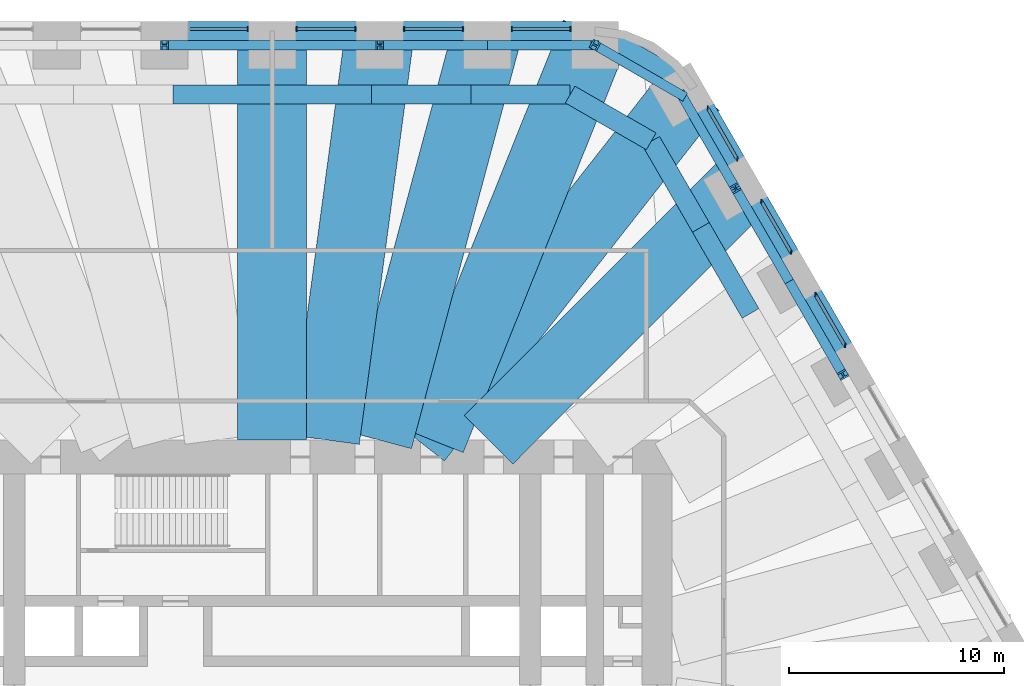
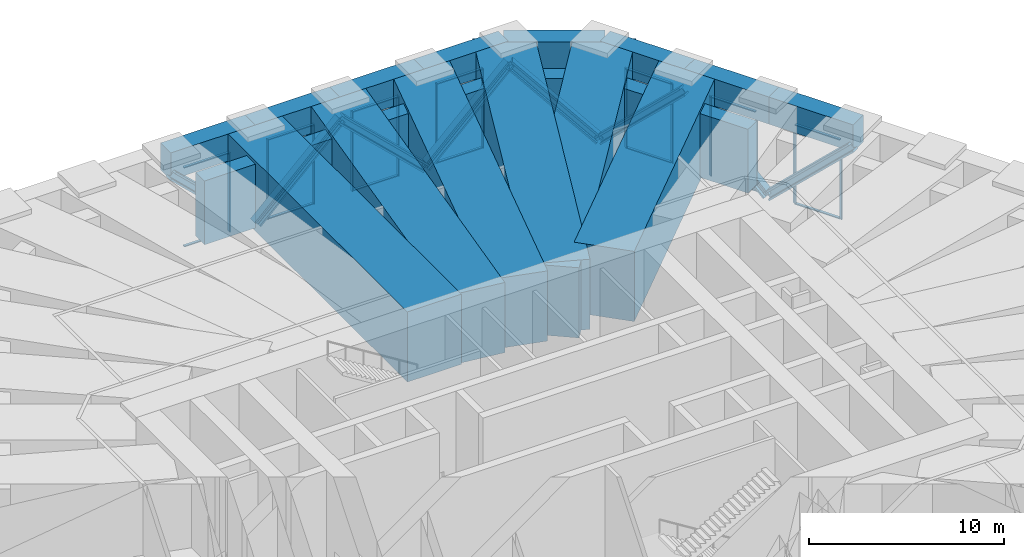
# One storey, part 9 of 16: 35 members, 21 beams, 7 elements without a shape of their own.
"""IFC4 building model written with IfcOpenShell, lengths in metres."""

from ifc_helpers import new_model, si_unit, direction, frame, origin, origin_2d, place, context, subcontext, project, spatial, rectangle, i_section, extrude, material, material_profile, profile_set, type_object, element, aggregate, save


model = new_model("IFC4")

# Units and contexts
model_context = context("Model", 3, precision=1e-05, world=origin(), true_north=direction((0.0, 1.0)))
body_context = subcontext(model_context, "Body", "Model", "MODEL_VIEW")
ifc_project = project(units=[si_unit("LENGTHUNIT", "METRE"), si_unit("AREAUNIT", "SQUARE_METRE"), si_unit("VOLUMEUNIT", "CUBIC_METRE"), si_unit("PLANEANGLEUNIT", "RADIAN"), si_unit("MASSUNIT", "GRAM", prefix="KILO")], contexts=[model_context])

# Site, building, storey
site_placement = place(None, origin())
site = spatial("IfcSite", under=ifc_project, at=site_placement, CompositionType="ELEMENT")
building_placement = place(site_placement, origin())
building = spatial("IfcBuilding", under=site, at=building_placement, Name="Tarfa Lantern Tower", CompositionType="ELEMENT")
storey_placement = place(building_placement, frame((0.0, 0.0, 203.5)))
storey = spatial("IfcBuildingStorey", under=building, at=storey_placement, Name="L46", CompositionType="ELEMENT", Elevation=203.5)

# Members
ifc_material_1 = material(Name="Steel S460M", Category="steel")
ifc_material_profile_1 = material_profile(ifc_material_1, i_section(OverallWidth=0.44189453125, OverallDepth=0.531005859375, WebThickness=0.06591796875, FlangeThickness=0.10595703125, FilletRadius=0.02001953125, at=origin_2d()), Name="HD400x900")
ifc_profile_set_1 = profile_set([ifc_material_profile_1], Name="Steel S460M")
member_type_1 = type_object("IfcMemberType", Name="BT2 HD400x900", PredefinedType="BRACE", material=ifc_profile_set_1)
member_1_placement = place(storey_placement, frame((24.041748046875, 19.658447265625, 0.60009765625), z_axis=(0.360836211576, -0.624984656077, 0.692236526112), x_axis=(0.866024712477, 0.500001197378, 0.0)))
element("IfcMember", 1, at=member_1_placement, inside=storey, type_object=member_type_1, Name="Belt truss diagonal 4", PredefinedType="BRACE", context=body_context, shape_type="SweptSolid", body=[
    extrude(i_section(OverallWidth=0.44189453125, OverallDepth=0.531005859375, WebThickness=0.06591796875, FlangeThickness=0.10595703125, FilletRadius=0.02001953125, at=origin_2d()), origin(), (0.0, 0.0, 1.0), 6.933837890625),
])
for number, where, z_axis, x_axis, name in (
    (2, (24.041748046875, 19.658447265625, 0.60009765625), (-0.360813525196, 0.624971138743, 0.69226055483), (-0.866033642122, -0.49998573051, 0.0), "Belt truss diagonal 5"),
    (3, (19.0380859375, 28.324951171875, 0.60009765625), (0.360844152163, -0.624963198354, 0.692251759516), (0.866012514114, 0.500022324899, 0.0), "Belt truss diagonal 6"),
):
    element("IfcMember", number, at=place(storey_placement, frame(where, z_axis=z_axis, x_axis=x_axis)), inside=storey, type_object=member_type_1, Name=name, PredefinedType="BRACE", context=body_context, shape_type="SweptSolid", body=[
        extrude(i_section(OverallWidth=0.44189453125, OverallDepth=0.531005859375, WebThickness=0.06591796875, FlangeThickness=0.10595703125, FilletRadius=0.02001953125, at=origin_2d()), origin(), (0.0, 0.0, 1.0), 6.93359375),
    ])
member_2_placement = place(storey_placement, frame((19.0380859375, 28.324951171875, 0.60009765625), z_axis=(-0.602598278407, 0.34789593242, 0.718222622218), x_axis=(-0.499984536904, -0.866034331223, 0.0)))
element("IfcMember", 4, at=member_2_placement, inside=storey, type_object=member_type_1, Name="Belt truss diagonal 7", PredefinedType="BRACE", context=body_context, shape_type="SweptSolid", body=[
    extrude(i_section(OverallWidth=0.44189453125, OverallDepth=0.531005859375, WebThickness=0.06591796875, FlangeThickness=0.10595703125, FilletRadius=0.02001953125, at=origin_2d()), origin(), (0.0, 0.0, 1.0), 6.682861328125),
])
for number, where, z_axis, x_axis, name in (
    (5, (10.00732421875, 30.64990234375, 0.60009765625), (0.721654649974, 0.0, 0.692253252915), (0.0, 1.0, 0.0), "Belt truss diagonal 8"),
    (6, (10.00732421875, 30.64990234375, 0.60009765625), (-0.721654649974, 0.0, 0.692253252915), (0.0, -1.0, 0.0), "Belt truss diagonal 9"),
    (7, (0.0, 30.64990234375, 0.60009765625), (0.721654649974, 0.0, 0.692253252915), (0.0, 1.0, 0.0), "Belt truss diagonal 10"),
    (8, (0.0, 30.64990234375, 0.60009765625), (-0.721654649974, 0.0, 0.692253252915), (0.0, -1.0, 0.0), "Belt truss diagonal 11"),
):
    element("IfcMember", number, at=place(storey_placement, frame(where, z_axis=z_axis, x_axis=x_axis)), inside=storey, type_object=member_type_1, Name=name, PredefinedType="BRACE", context=body_context, shape_type="SweptSolid", body=[
        extrude(i_section(OverallWidth=0.44189453125, OverallDepth=0.531005859375, WebThickness=0.06591796875, FlangeThickness=0.10595703125, FilletRadius=0.02001953125, at=origin_2d()), origin(), (0.0, 0.0, 1.0), 6.93359375),
    ])

# Curtain wall, members
ifc_material_2 = material(Name="Aluminium framed curtain wall", Category="aluminium")
curtain_wall_type = type_object("IfcCurtainWallType", Name="CW6 LOUVRED SCREEN WALL 5000", PredefinedType="USERDEFINED", material=ifc_material_2)
curtain_wall_1_placement = place(storey_placement, origin())
curtain_wall_1 = element("IfcCurtainWall", 9, at=curtain_wall_1_placement, inside=storey, type_object=curtain_wall_type, Name="CW6 NE L46", ObjectType="CURTAIN WALL", PredefinedType="USERDEFINED")
ifc_material_3 = material(Name="Aluminium mullion", Category="aluminium")
ifc_material_profile_2 = material_profile(ifc_material_3, rectangle(XDim=0.06494140625, YDim=0.199951171875, at=origin_2d()), Name="AL MULLION 65x200")
ifc_profile_set_2 = profile_set([ifc_material_profile_2], Name="Aluminium mullion")
member_type_2 = type_object("IfcMemberType", Name="CWM1 MULLION 65x200", PredefinedType="MULLION", material=ifc_profile_set_2)
member_3_placement = place(storey_placement, frame((26.626953125, 16.6806640625, 0.0), z_axis=(0.0, 0.0, 1.0), x_axis=(1.0, 0.0, 0.0)))
member_3 = element("IfcMember", 10, at=member_3_placement, type_object=member_type_2, Name="CW6 mullion 1", PredefinedType="MULLION", context=body_context, shape_type="SweptSolid", body=[
    extrude(rectangle(XDim=0.06494140625, YDim=0.199951171875, at=origin_2d()), origin(), (0.0, 0.0, 1.0), 5.0),
])
member_4_placement = place(storey_placement, frame((25.257568359375, 19.052490234375, 0.0), z_axis=(0.0, 0.0, 1.0), x_axis=(1.0, 0.0, 0.0)))
member_4 = element("IfcMember", 11, at=member_4_placement, type_object=member_type_2, Name="CW6 mullion 2", PredefinedType="MULLION", context=body_context, shape_type="SweptSolid", body=[
    extrude(rectangle(XDim=0.06494140625, YDim=0.199951171875, at=origin_2d()), origin(), (0.0, 0.0, 1.0), 5.0),
])

curtain_wall_2_placement = place(storey_placement, origin())
curtain_wall_2 = element("IfcCurtainWall", 12, at=curtain_wall_2_placement, inside=storey, type_object=curtain_wall_type, Name="CW6 NE L46", ObjectType="CURTAIN WALL", PredefinedType="USERDEFINED")
member_5_placement = place(storey_placement, frame((24.125, 21.01416015625, 0.0), z_axis=(0.0, 0.0, 1.0), x_axis=(1.0, 0.0, 0.0)))
member_5 = element("IfcMember", 13, at=member_5_placement, type_object=member_type_2, Name="CW6 mullion 1", PredefinedType="MULLION", context=body_context, shape_type="SweptSolid", body=[
    extrude(rectangle(XDim=0.06494140625, YDim=0.199951171875, at=origin_2d()), origin(), (0.0, 0.0, 1.0), 5.0),
])
member_6_placement = place(storey_placement, frame((22.755859375, 23.385986328125, 0.0), z_axis=(0.0, 0.0, 1.0), x_axis=(1.0, 0.0, 0.0)))
member_6 = element("IfcMember", 14, at=member_6_placement, type_object=member_type_2, Name="CW6 mullion 2", PredefinedType="MULLION", context=body_context, shape_type="SweptSolid", body=[
    extrude(rectangle(XDim=0.06494140625, YDim=0.199951171875, at=origin_2d()), origin(), (0.0, 0.0, 1.0), 5.0),
])

curtain_wall_3_placement = place(storey_placement, origin())
curtain_wall_3 = element("IfcCurtainWall", 15, at=curtain_wall_3_placement, inside=storey, type_object=curtain_wall_type, Name="CW6 NE L46", ObjectType="CURTAIN WALL", PredefinedType="USERDEFINED")
member_7_placement = place(storey_placement, frame((21.623291015625, 25.347412109375, 0.0), z_axis=(0.0, 0.0, 1.0), x_axis=(1.0, 0.0, 0.0)))
member_7 = element("IfcMember", 16, at=member_7_placement, type_object=member_type_2, Name="CW6 mullion 1", PredefinedType="MULLION", context=body_context, shape_type="SweptSolid", body=[
    extrude(rectangle(XDim=0.06494140625, YDim=0.199951171875, at=origin_2d()), origin(), (0.0, 0.0, 1.0), 5.0),
])
member_8_placement = place(storey_placement, frame((20.25390625, 27.71923828125, 0.0), z_axis=(0.0, 0.0, 1.0), x_axis=(1.0, 0.0, 0.0)))
member_8 = element("IfcMember", 17, at=member_8_placement, type_object=member_type_2, Name="CW6 mullion 2", PredefinedType="MULLION", context=body_context, shape_type="SweptSolid", body=[
    extrude(rectangle(XDim=0.06494140625, YDim=0.199951171875, at=origin_2d()), origin(), (0.0, 0.0, 1.0), 5.0),
])

curtain_wall_4_placement = place(storey_placement, origin())
curtain_wall_4 = element("IfcCurtainWall", 18, at=curtain_wall_4_placement, inside=storey, type_object=curtain_wall_type, Name="CW6 N L46", ObjectType="CURTAIN WALL", PredefinedType="USERDEFINED")
member_9_placement = place(storey_placement, frame((13.878662109375, 31.39990234375, 0.0), z_axis=(0.0, 0.0, 1.0), x_axis=(1.0, 0.0, 0.0)))
member_9 = element("IfcMember", 19, at=member_9_placement, type_object=member_type_2, Name="CW6 mullion 1", PredefinedType="MULLION", context=body_context, shape_type="SweptSolid", body=[
    extrude(rectangle(XDim=0.06494140625, YDim=0.199951171875, at=origin_2d()), origin(), (0.0, 0.0, 1.0), 5.0),
])
member_10_placement = place(storey_placement, frame((11.139892578125, 31.39990234375, 0.0), z_axis=(0.0, 0.0, 1.0), x_axis=(1.0, 0.0, 0.0)))
member_10 = element("IfcMember", 20, at=member_10_placement, type_object=member_type_2, Name="CW6 mullion 2", PredefinedType="MULLION", context=body_context, shape_type="SweptSolid", body=[
    extrude(rectangle(XDim=0.06494140625, YDim=0.199951171875, at=origin_2d()), origin(), (0.0, 0.0, 1.0), 5.0),
])

curtain_wall_5_placement = place(storey_placement, origin())
curtain_wall_5 = element("IfcCurtainWall", 21, at=curtain_wall_5_placement, inside=storey, type_object=curtain_wall_type, Name="CW6 N L46", ObjectType="CURTAIN WALL", PredefinedType="USERDEFINED")
member_11_placement = place(storey_placement, frame((8.875, 31.39990234375, 0.0), z_axis=(0.0, 0.0, 1.0), x_axis=(1.0, 0.0, 0.0)))
member_11 = element("IfcMember", 22, at=member_11_placement, type_object=member_type_2, Name="CW6 mullion 1", PredefinedType="MULLION", context=body_context, shape_type="SweptSolid", body=[
    extrude(rectangle(XDim=0.06494140625, YDim=0.199951171875, at=origin_2d()), origin(), (0.0, 0.0, 1.0), 5.0),
])
member_12_placement = place(storey_placement, frame((6.13623046875, 31.39990234375, 0.0), z_axis=(0.0, 0.0, 1.0), x_axis=(1.0, 0.0, 0.0)))
member_12 = element("IfcMember", 23, at=member_12_placement, type_object=member_type_2, Name="CW6 mullion 2", PredefinedType="MULLION", context=body_context, shape_type="SweptSolid", body=[
    extrude(rectangle(XDim=0.06494140625, YDim=0.199951171875, at=origin_2d()), origin(), (0.0, 0.0, 1.0), 5.0),
])

curtain_wall_6_placement = place(storey_placement, origin())
curtain_wall_6 = element("IfcCurtainWall", 24, at=curtain_wall_6_placement, inside=storey, type_object=curtain_wall_type, Name="CW6 N L46", ObjectType="CURTAIN WALL", PredefinedType="USERDEFINED")
member_13_placement = place(storey_placement, frame((3.87109375, 31.39990234375, 0.0), z_axis=(0.0, 0.0, 1.0), x_axis=(1.0, 0.0, 0.0)))
member_13 = element("IfcMember", 25, at=member_13_placement, type_object=member_type_2, Name="CW6 mullion 1", PredefinedType="MULLION", context=body_context, shape_type="SweptSolid", body=[
    extrude(rectangle(XDim=0.06494140625, YDim=0.199951171875, at=origin_2d()), origin(), (0.0, 0.0, 1.0), 5.0),
])
member_14_placement = place(storey_placement, frame((1.132568359375, 31.39990234375, 0.0), z_axis=(0.0, 0.0, 1.0), x_axis=(1.0, 0.0, 0.0)))
member_14 = element("IfcMember", 26, at=member_14_placement, type_object=member_type_2, Name="CW6 mullion 2", PredefinedType="MULLION", context=body_context, shape_type="SweptSolid", body=[
    extrude(rectangle(XDim=0.06494140625, YDim=0.199951171875, at=origin_2d()), origin(), (0.0, 0.0, 1.0), 5.0),
])

# Curtain wall, member
curtain_wall_7_placement = place(storey_placement, origin())
curtain_wall_7 = element("IfcCurtainWall", 27, at=curtain_wall_7_placement, inside=storey, type_object=curtain_wall_type, Name="CW6 N L46", ObjectType="CURTAIN WALL", PredefinedType="USERDEFINED")
member_15_placement = place(storey_placement, frame((-1.132568359375, 31.39990234375, 0.0), z_axis=(0.0, 0.0, 1.0), x_axis=(1.0, 0.0, 0.0)))
member_15 = element("IfcMember", 28, at=member_15_placement, type_object=member_type_2, Name="CW6 mullion 1", PredefinedType="MULLION", context=body_context, shape_type="SweptSolid", body=[
    extrude(rectangle(XDim=0.06494140625, YDim=0.199951171875, at=origin_2d()), origin(), (0.0, 0.0, 1.0), 5.0),
])

# Member
ifc_material_4 = material(Name="Aluminium transom", Category="aluminium")
ifc_material_profile_3 = material_profile(ifc_material_4, rectangle(XDim=0.14990234375, YDim=0.06494140625, at=origin_2d()), Name="AL TRANSOM 150x65")
ifc_profile_set_3 = profile_set([ifc_material_profile_3], Name="Aluminium transom")
member_type_3 = type_object("IfcMemberType", Name="CWT1 TRANSOM 150x65", PredefinedType="USERDEFINED", material=ifc_profile_set_3)
member_16_placement = place(storey_placement, frame((26.610595703125, 16.708984375, 0.032470703125), z_axis=(-0.499959594982, 0.866048730376, 0.0), x_axis=(-0.866048730376, -0.499959594982, 0.0)))
member_16 = element("IfcMember", 29, at=member_16_placement, type_object=member_type_3, Name="CW6 transom 1.1", ObjectType="TRANSOM", PredefinedType="USERDEFINED", context=body_context, shape_type="SweptSolid", body=[
    extrude(rectangle(XDim=0.14990234375, YDim=0.06494140625, at=origin_2d()), origin(), (0.0, 0.0, 1.0), 2.673583984375),
])

member_17_placement = place(storey_placement, frame((26.610595703125, 16.708984375, 4.967529296875), z_axis=(-0.499959594982, 0.866048730376, 0.0), x_axis=(-0.866048730376, -0.499959594982, 0.0)))
member_17 = element("IfcMember", 30, at=member_17_placement, type_object=member_type_3, Name="CW6 transom 1.2", ObjectType="TRANSOM", PredefinedType="USERDEFINED", context=body_context, shape_type="SweptSolid", body=[
    extrude(rectangle(XDim=0.14990234375, YDim=0.06494140625, at=origin_2d()), origin(), (0.0, 0.0, 1.0), 2.673583984375),
])

aggregate(curtain_wall_1, [member_3, member_4, member_16, member_17])

member_18_placement = place(storey_placement, frame((24.10888671875, 21.042236328125, 0.032470703125), z_axis=(-0.500028081597, 0.86600919026, 0.0), x_axis=(-0.86600919026, -0.500028081597, 0.0)))
member_18 = element("IfcMember", 31, at=member_18_placement, type_object=member_type_3, Name="CW6 transom 1.1", ObjectType="TRANSOM", PredefinedType="USERDEFINED", context=body_context, shape_type="SweptSolid", body=[
    extrude(rectangle(XDim=0.14990234375, YDim=0.06494140625, at=origin_2d()), origin(), (0.0, 0.0, 1.0), 2.673583984375),
])

member_19_placement = place(storey_placement, frame((24.10888671875, 21.042236328125, 4.967529296875), z_axis=(-0.500028081597, 0.86600919026, 0.0), x_axis=(-0.86600919026, -0.500028081597, 0.0)))
member_19 = element("IfcMember", 32, at=member_19_placement, type_object=member_type_3, Name="CW6 transom 1.2", ObjectType="TRANSOM", PredefinedType="USERDEFINED", context=body_context, shape_type="SweptSolid", body=[
    extrude(rectangle(XDim=0.14990234375, YDim=0.06494140625, at=origin_2d()), origin(), (0.0, 0.0, 1.0), 2.673583984375),
])

aggregate(curtain_wall_2, [member_5, member_6, member_18, member_19])

member_20_placement = place(storey_placement, frame((21.60693359375, 25.37548828125, 0.032470703125), z_axis=(-0.499920058375, 0.866071553184, 0.0), x_axis=(-0.866071553184, -0.499920058375, 0.0)))
member_20 = element("IfcMember", 33, at=member_20_placement, type_object=member_type_3, Name="CW6 transom 1.1", ObjectType="TRANSOM", PredefinedType="USERDEFINED", context=body_context, shape_type="SweptSolid", body=[
    extrude(rectangle(XDim=0.14990234375, YDim=0.06494140625, at=origin_2d()), origin(), (0.0, 0.0, 1.0), 2.673828125),
])

member_21_placement = place(storey_placement, frame((21.60693359375, 25.37548828125, 4.967529296875), z_axis=(-0.499920058375, 0.866071553184, 0.0), x_axis=(-0.866071553184, -0.499920058375, 0.0)))
member_21 = element("IfcMember", 34, at=member_21_placement, type_object=member_type_3, Name="CW6 transom 1.2", ObjectType="TRANSOM", PredefinedType="USERDEFINED", context=body_context, shape_type="SweptSolid", body=[
    extrude(rectangle(XDim=0.14990234375, YDim=0.06494140625, at=origin_2d()), origin(), (0.0, 0.0, 1.0), 2.673828125),
])

aggregate(curtain_wall_3, [member_7, member_8, member_20, member_21])

member_22_placement = place(storey_placement, frame((13.84619140625, 31.39990234375, 0.032470703125), z_axis=(-1.0, 0.0, 0.0), x_axis=(0.0, -1.0, 0.0)))
member_22 = element("IfcMember", 35, at=member_22_placement, type_object=member_type_3, Name="CW6 transom 1.1", ObjectType="TRANSOM", PredefinedType="USERDEFINED", context=body_context, shape_type="SweptSolid", body=[
    extrude(rectangle(XDim=0.14990234375, YDim=0.06494140625, at=origin_2d()), origin(), (0.0, 0.0, 1.0), 2.673828125),
])

member_23_placement = place(storey_placement, frame((13.84619140625, 31.39990234375, 4.967529296875), z_axis=(-1.0, 0.0, 0.0), x_axis=(0.0, -1.0, 0.0)))
member_23 = element("IfcMember", 36, at=member_23_placement, type_object=member_type_3, Name="CW6 transom 1.2", ObjectType="TRANSOM", PredefinedType="USERDEFINED", context=body_context, shape_type="SweptSolid", body=[
    extrude(rectangle(XDim=0.14990234375, YDim=0.06494140625, at=origin_2d()), origin(), (0.0, 0.0, 1.0), 2.673828125),
])

aggregate(curtain_wall_4, [member_9, member_10, member_22, member_23])

member_24_placement = place(storey_placement, frame((8.84228515625, 31.39990234375, 0.032470703125), z_axis=(-1.0, 0.0, 0.0), x_axis=(0.0, -1.0, 0.0)))
member_24 = element("IfcMember", 37, at=member_24_placement, type_object=member_type_3, Name="CW6 transom 1.1", ObjectType="TRANSOM", PredefinedType="USERDEFINED", context=body_context, shape_type="SweptSolid", body=[
    extrude(rectangle(XDim=0.14990234375, YDim=0.06494140625, at=origin_2d()), origin(), (0.0, 0.0, 1.0), 2.673583984375),
])

member_25_placement = place(storey_placement, frame((8.84228515625, 31.39990234375, 4.967529296875), z_axis=(-1.0, 0.0, 0.0), x_axis=(0.0, -1.0, 0.0)))
member_25 = element("IfcMember", 38, at=member_25_placement, type_object=member_type_3, Name="CW6 transom 1.2", ObjectType="TRANSOM", PredefinedType="USERDEFINED", context=body_context, shape_type="SweptSolid", body=[
    extrude(rectangle(XDim=0.14990234375, YDim=0.06494140625, at=origin_2d()), origin(), (0.0, 0.0, 1.0), 2.673583984375),
])

aggregate(curtain_wall_5, [member_11, member_12, member_24, member_25])

member_26_placement = place(storey_placement, frame((3.838623046875, 31.39990234375, 0.032470703125), z_axis=(-1.0, 0.0, 0.0), x_axis=(0.0, -1.0, 0.0)))
member_26 = element("IfcMember", 39, at=member_26_placement, type_object=member_type_3, Name="CW6 transom 1.1", ObjectType="TRANSOM", PredefinedType="USERDEFINED", context=body_context, shape_type="SweptSolid", body=[
    extrude(rectangle(XDim=0.14990234375, YDim=0.06494140625, at=origin_2d()), origin(), (0.0, 0.0, 1.0), 2.673583984375),
])

member_27_placement = place(storey_placement, frame((3.838623046875, 31.39990234375, 4.967529296875), z_axis=(-1.0, 0.0, 0.0), x_axis=(0.0, -1.0, 0.0)))
member_27 = element("IfcMember", 40, at=member_27_placement, type_object=member_type_3, Name="CW6 transom 1.2", ObjectType="TRANSOM", PredefinedType="USERDEFINED", context=body_context, shape_type="SweptSolid", body=[
    extrude(rectangle(XDim=0.14990234375, YDim=0.06494140625, at=origin_2d()), origin(), (0.0, 0.0, 1.0), 2.673583984375),
])

aggregate(curtain_wall_6, [member_13, member_14, member_26, member_27])

member_28_placement = place(storey_placement, frame((-1.1650390625, 31.39990234375, 0.032470703125), z_axis=(-1.0, 0.0, 0.0), x_axis=(0.0, -1.0, 0.0)))
member_28 = element("IfcMember", 41, at=member_28_placement, type_object=member_type_3, Name="CW6 transom 1.1", ObjectType="TRANSOM", PredefinedType="USERDEFINED", context=body_context, shape_type="SweptSolid", body=[
    extrude(rectangle(XDim=0.14990234375, YDim=0.06494140625, at=origin_2d()), origin(), (0.0, 0.0, 1.0), 2.673583984375),
])

member_29_placement = place(storey_placement, frame((-1.1650390625, 31.39990234375, 4.967529296875), z_axis=(-1.0, 0.0, 0.0), x_axis=(0.0, -1.0, 0.0)))
member_29 = element("IfcMember", 42, at=member_29_placement, type_object=member_type_3, Name="CW6 transom 1.2", ObjectType="TRANSOM", PredefinedType="USERDEFINED", context=body_context, shape_type="SweptSolid", body=[
    extrude(rectangle(XDim=0.14990234375, YDim=0.06494140625, at=origin_2d()), origin(), (0.0, 0.0, 1.0), 2.673583984375),
])

aggregate(curtain_wall_7, [member_15, member_28, member_29])

# Beams
ifc_material_5 = material(Name="Concrete C80/95", Category="concrete")
ifc_material_profile_4 = material_profile(ifc_material_5, rectangle(XDim=1.050048828125, YDim=1.699951171875, at=origin_2d()), Name="RC 1050x1700")
ifc_profile_set_4 = profile_set([ifc_material_profile_4], Name="Concrete C80/95")
beam_type_1 = type_object("IfcBeamType", Name="RB2 RC 1050x1700", PredefinedType="BEAM", material=ifc_profile_set_4)
for number, where, z_axis, x_axis, name in (
    (43, (27.037353515625, 15.610107421875, 5.85009765625), (-0.500022324899, 0.866012514114, 0.0), (-0.866012514114, -0.500022324899, 0.0), "Edge beam NE3"),
    (44, (24.535400390625, 19.943359375, 5.85009765625), (-0.49998573051, 0.866033642122, 0.0), (-0.866033642122, -0.49998573051, 0.0), "Edge beam NE4"),
):
    element("IfcBeam", number, at=place(storey_placement, frame(where, z_axis=z_axis, x_axis=x_axis)), inside=storey, type_object=beam_type_1, Name=name, PredefinedType="BEAM", context=body_context, shape_type="SweptSolid", body=[
        extrude(rectangle(XDim=1.050048828125, YDim=1.699951171875, at=origin_2d()), origin(), (0.0, 0.0, 1.0), 5.003662109375),
    ])
beam_1_placement = place(storey_placement, frame((22.03369140625, 24.276611328125, 5.85009765625), z_axis=(-0.500001197378, 0.866024712477, 0.0), x_axis=(-0.866024712477, -0.500001197378, 0.0)))
element("IfcBeam", 45, at=beam_1_placement, inside=storey, type_object=beam_type_1, Name="Edge beam NE5", PredefinedType="BEAM", context=body_context, shape_type="SweptSolid", body=[
    extrude(rectangle(XDim=1.050048828125, YDim=1.699951171875, at=origin_2d()), origin(), (0.0, 0.0, 1.0), 5.00390625),
])
beam_2_placement = place(storey_placement, frame((19.53173828125, 28.610107421875, 5.85009765625), z_axis=(-0.86604150238, 0.499972115377, 0.0), x_axis=(-0.499972115377, -0.86604150238, 0.0)))
element("IfcBeam", 46, at=beam_2_placement, inside=storey, type_object=beam_type_1, Name="Edge beam NE6", PredefinedType="BEAM", context=body_context, shape_type="SweptSolid", body=[
    extrude(rectangle(XDim=1.050048828125, YDim=1.699951171875, at=origin_2d()), origin(), (0.0, 0.0, 1.0), 5.219970703125),
])
for number, where, z_axis, x_axis, name in (
    (47, (15.010986328125, 31.219970703125, 5.85009765625), (-1.0, 0.0, 0.0), (0.0, -1.0, 0.0), "Edge beam N0"),
    (48, (10.00732421875, 31.219970703125, 5.85009765625), (-1.0, 0.0, 0.0), (0.0, -1.0, 0.0), "Edge beam N1"),
    (49, (5.003662109375, 31.219970703125, 5.85009765625), (-1.0, 0.0, 0.0), (0.0, -1.0, 0.0), "Edge beam N2"),
    (50, (0.0, 31.219970703125, 5.85009765625), (-1.0, 0.0, 0.0), (0.0, -1.0, 0.0), "Edge beam N3"),
):
    element("IfcBeam", number, at=place(storey_placement, frame(where, z_axis=z_axis, x_axis=x_axis)), inside=storey, type_object=beam_type_1, Name=name, PredefinedType="BEAM", context=body_context, shape_type="SweptSolid", body=[
        extrude(rectangle(XDim=1.050048828125, YDim=1.699951171875, at=origin_2d()), origin(), (0.0, 0.0, 1.0), 5.003662109375),
    ])
ifc_material_profile_5 = material_profile(ifc_material_5, rectangle(XDim=0.89990234375, YDim=4.0, at=origin_2d()), Name="RC 900x4000")
ifc_profile_set_5 = profile_set([ifc_material_profile_5], Name="Concrete C80/95")
beam_type_2 = type_object("IfcBeamType", Name="RG2 RC 900x4000", PredefinedType="BEAM", material=ifc_profile_set_5)
beam_3_placement = place(storey_placement, frame((22.242431640625, 18.175048828125, 4.5), z_axis=(-0.499987836815, 0.866032426089, 0.0), x_axis=(-0.866032426089, -0.499987836815, 0.0)))
element("IfcBeam", 51, at=beam_3_placement, inside=storey, type_object=beam_type_2, Name="Ring girder NE4", PredefinedType="BEAM", context=body_context, shape_type="SweptSolid", body=[
    extrude(rectangle(XDim=0.89990234375, YDim=4.0, at=origin_2d()), origin(), (0.0, 0.0, 1.0), 4.61865234375),
])
beam_4_placement = place(storey_placement, frame((19.93310546875, 22.175048828125, 4.5), z_axis=(-0.500027479704, 0.866009537788, 0.0), x_axis=(-0.866009537788, -0.500027479704, 0.0)))
element("IfcBeam", 52, at=beam_4_placement, inside=storey, type_object=beam_type_2, Name="Ring girder NE5", PredefinedType="BEAM", context=body_context, shape_type="SweptSolid", body=[
    extrude(rectangle(XDim=0.89990234375, YDim=4.0, at=origin_2d()), origin(), (0.0, 0.0, 1.0), 4.618896484375),
])
beam_5_placement = place(storey_placement, frame((17.62353515625, 26.175048828125, 4.5), z_axis=(-0.866013608182, 0.500020430026, 0.0), x_axis=(-0.500020430026, -0.866013608182, 0.0)))
element("IfcBeam", 53, at=beam_5_placement, inside=storey, type_object=beam_type_2, Name="Ring girder NE6", PredefinedType="BEAM", context=body_context, shape_type="SweptSolid", body=[
    extrude(rectangle(XDim=0.89990234375, YDim=4.0, at=origin_2d()), origin(), (0.0, 0.0, 1.0), 4.349853515625),
])
beam_6_placement = place(storey_placement, frame((13.8564453125, 28.35009765625, 4.5), z_axis=(-1.0, 0.0, 0.0), x_axis=(0.0, -1.0, 0.0)))
element("IfcBeam", 54, at=beam_6_placement, inside=storey, type_object=beam_type_2, Name="Ring girder N0", PredefinedType="BEAM", context=body_context, shape_type="SweptSolid", body=[
    extrude(rectangle(XDim=0.89990234375, YDim=4.0, at=origin_2d()), origin(), (0.0, 0.0, 1.0), 4.618896484375),
])
beam_7_placement = place(storey_placement, frame((9.237548828125, 28.35009765625, 4.5), z_axis=(-1.0, 0.0, 0.0), x_axis=(0.0, -1.0, 0.0)))
element("IfcBeam", 55, at=beam_7_placement, inside=storey, type_object=beam_type_2, Name="Ring girder N1", PredefinedType="BEAM", context=body_context, shape_type="SweptSolid", body=[
    extrude(rectangle(XDim=0.89990234375, YDim=4.0, at=origin_2d()), origin(), (0.0, 0.0, 1.0), 4.61865234375),
])
for number, where, z_axis, x_axis, name in (
    (56, (4.618896484375, 28.35009765625, 4.5), (-1.0, 0.0, 0.0), (0.0, -1.0, 0.0), "Ring girder N2"),
    (57, (0.0, 28.35009765625, 4.5), (-1.0, 0.0, 0.0), (0.0, -1.0, 0.0), "Ring girder N3"),
):
    element("IfcBeam", number, at=place(storey_placement, frame(where, z_axis=z_axis, x_axis=x_axis)), inside=storey, type_object=beam_type_2, Name=name, PredefinedType="BEAM", context=body_context, shape_type="SweptSolid", body=[
        extrude(rectangle(XDim=0.89990234375, YDim=4.0, at=origin_2d()), origin(), (0.0, 0.0, 1.0), 4.618896484375),
    ])
ifc_material_profile_6 = material_profile(ifc_material_5, rectangle(XDim=3.199951171875, YDim=4.39990234375, at=origin_2d()), Name="RC 3200x4400")
ifc_profile_set_6 = profile_set([ifc_material_profile_6], Name="Concrete C80/95")
beam_type_3 = type_object("IfcBeamType", Name="TG2 RC 3200x4400", PredefinedType="BEAM", material=ifc_profile_set_6)
beam_8_placement = place(storey_placement, frame((22.03369140625, 24.276611328125, 4.5), z_axis=(-0.706933746377, -0.707279773663, 0.0), x_axis=(0.707279773663, -0.706933746377, 0.0)))
element("IfcBeam", 58, at=beam_8_placement, inside=storey, type_object=beam_type_3, Name="Transfer girder NE5", PredefinedType="BEAM", context=body_context, shape_type="SweptSolid", body=[
    extrude(rectangle(XDim=3.199951171875, YDim=4.39990234375, at=origin_2d()), origin(), (0.0, 0.0, 1.0), 16.933349609375),
])
beam_9_placement = place(storey_placement, frame((19.53173828125, 28.610107421875, 4.5), z_axis=(-0.616805321838, -0.787115744317, 0.0), x_axis=(0.787115744317, -0.616805321838, 0.0)))
element("IfcBeam", 59, at=beam_9_placement, inside=storey, type_object=beam_type_3, Name="Transfer girder NE6", PredefinedType="BEAM", context=body_context, shape_type="SweptSolid", body=[
    extrude(rectangle(XDim=3.199951171875, YDim=4.39990234375, at=origin_2d()), origin(), (0.0, 0.0, 1.0), 20.72119140625),
])
beam_10_placement = place(storey_placement, frame((15.010986328125, 31.219970703125, 4.5), z_axis=(-0.37325373852, -0.927729296013, 0.0), x_axis=(0.927729296013, -0.37325373852, 0.0)))
element("IfcBeam", 60, at=beam_10_placement, inside=storey, type_object=beam_type_3, Name="Transfer girder N0", PredefinedType="BEAM", context=body_context, shape_type="SweptSolid", body=[
    extrude(rectangle(XDim=3.199951171875, YDim=4.39990234375, at=origin_2d()), origin(), (0.0, 0.0, 1.0), 20.393798828125),
])
beam_11_placement = place(storey_placement, frame((10.00732421875, 31.219970703125, 4.5), z_axis=(-0.259063343821, -0.965860333531, 0.0), x_axis=(0.965860333531, -0.259063343821, 0.0)))
element("IfcBeam", 61, at=beam_11_placement, inside=storey, type_object=beam_type_3, Name="Transfer girder N1", PredefinedType="BEAM", context=body_context, shape_type="SweptSolid", body=[
    extrude(rectangle(XDim=3.199951171875, YDim=4.39990234375, at=origin_2d()), origin(), (0.0, 0.0, 1.0), 19.588623046875),
])
beam_12_placement = place(storey_placement, frame((5.003662109375, 31.219970703125, 4.5), z_axis=(-0.132920154613, -0.991126748957, 0.0), x_axis=(0.991126748957, -0.132920154613, 0.0)))
element("IfcBeam", 62, at=beam_12_placement, inside=storey, type_object=beam_type_3, Name="Transfer girder N2", PredefinedType="BEAM", context=body_context, shape_type="SweptSolid", body=[
    extrude(rectangle(XDim=3.199951171875, YDim=4.39990234375, at=origin_2d()), origin(), (0.0, 0.0, 1.0), 19.08935546875),
])
beam_13_placement = place(storey_placement, frame((0.0, 31.219970703125, 4.5), z_axis=(0.0, -1.0, 0.0), x_axis=(1.0, 0.0, 0.0)))
element("IfcBeam", 63, at=beam_13_placement, inside=storey, type_object=beam_type_3, Name="Transfer girder N3", PredefinedType="BEAM", context=body_context, shape_type="SweptSolid", body=[
    extrude(rectangle(XDim=3.199951171875, YDim=4.39990234375, at=origin_2d()), origin(), (0.0, 0.0, 1.0), 18.919921875),
])

save(model, "model.ifc")
